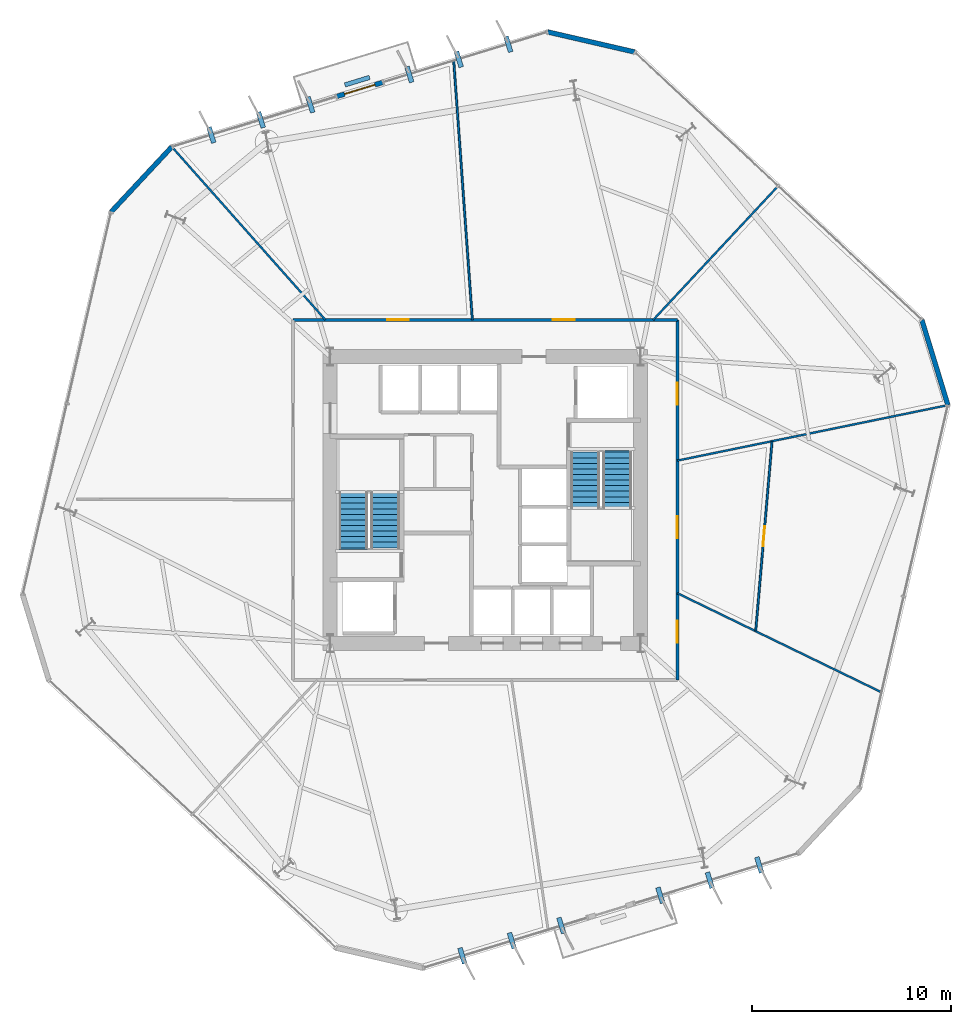
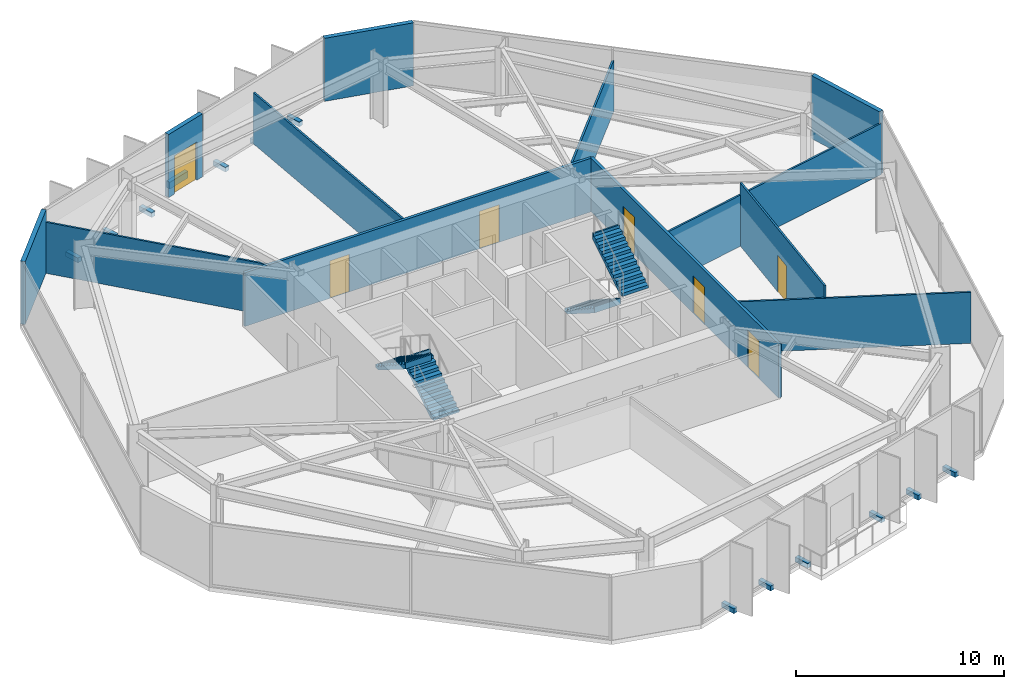
# One storey, part 7 of 9: 13 walls, 12 discrete accessories, 7 doors, 4 stair flights, 7 openings, 2 elements without a shape of their own.
"""IFC4 building model written with IfcOpenShell, lengths in metres."""

from ifc_helpers import new_model, si_unit, direction, frame, frame_2d, origin, origin_2d, place, context, subcontext, project, spatial, polyline, rectangle, outline, extrude, material, layer, layer_set, type_object, element, fill, aggregate, save


model = new_model("IFC4")

# Units and contexts
model_context = context("Model", 3, precision=1e-05, world=origin(), true_north=direction((0.0, 1.0)))
body_context = subcontext(model_context, "Body", "Model", "MODEL_VIEW")
ifc_project = project(units=[si_unit("LENGTHUNIT", "METRE"), si_unit("AREAUNIT", "SQUARE_METRE"), si_unit("VOLUMEUNIT", "CUBIC_METRE"), si_unit("PLANEANGLEUNIT", "RADIAN"), si_unit("MASSUNIT", "GRAM", prefix="KILO")], contexts=[model_context])

# Site, building, storey
site_placement = place(None, origin())
site = spatial("IfcSite", under=ifc_project, at=site_placement, CompositionType="ELEMENT")
building_placement = place(site_placement, origin())
building = spatial("IfcBuilding", under=site, at=building_placement, Name="Kranzbogen Civic Tower", CompositionType="ELEMENT")
storey_placement = place(building_placement, frame((0.0, 0.0, 88.0)))
storey = spatial("IfcBuildingStorey", under=building, at=storey_placement, Name="L21", CompositionType="ELEMENT", Elevation=88.0)

# Wall, openings, doors
ifc_material_1 = material(Name="Double-Stud Acoustic Gypsum Partition")
ifc_layer_1 = layer(ifc_material_1, 0.14990234375, Name="Double-Stud Acoustic Gypsum Partition")
ifc_layer_set_1 = layer_set([ifc_layer_1], Name="Double-Stud Acoustic Gypsum Partition")
wall_type_1 = type_object("IfcWallType", Name="Acoustic Corridor and Clinical Partition 150 mm", PredefinedType="PARTITIONING", material=ifc_layer_set_1)
wall_1_placement = place(storey_placement, frame((15.35009765625, 34.050048828125, 0.0), z_axis=(0.0, 0.0, 1.0), x_axis=(1.0, 0.0, 0.0)))
wall_1 = element("IfcWall", 1, at=wall_1_placement, inside=storey, type_object=wall_type_1, Name="L21 corridor partition 01", PredefinedType="PARTITIONING", context=body_context, shape_type="SweptSolid", body=[
    extrude(rectangle(XDim=19.2998046875, YDim=0.14990234375, at=frame_2d((9.64990234375, 0.0))), origin(), (0.0, 0.0, 1.0), 3.14990234375),
])
opening_1_placement = place(wall_1_placement, frame((13.035888671875, 0.0, 0.0)))
opening_1 = element("IfcOpeningElement", 2, at=opening_1_placement, cuts=wall_1, Name="Opening D-COR60", PredefinedType="OPENING", context=body_context, shape_type="SweptSolid", body=[
    extrude(rectangle(XDim=1.10009765625, YDim=2.199951171875, at=frame_2d((0.550048828125, 1.10009765625))), frame((0.0, 0.0849609375, 0.0), z_axis=(0.0, -1.0, 0.0), x_axis=(1.0, 0.0, 0.0)), (0.0, 0.0, 1.0), 0.169921875),
])
opening_2_placement = place(wall_1_placement, frame((4.716064453125, 0.0, 0.0)))
opening_2 = element("IfcOpeningElement", 3, at=opening_2_placement, cuts=wall_1, Name="Opening D-COR60", PredefinedType="OPENING", context=body_context, shape_type="SweptSolid", body=[
    extrude(rectangle(XDim=1.10009765625, YDim=2.199951171875, at=frame_2d((0.550048828125, 1.10009765625))), frame((0.0, 0.0849609375, 0.0), z_axis=(0.0, -1.0, 0.0), x_axis=(1.0, 0.0, 0.0)), (0.0, 0.0, 1.0), 0.169921875),
])
ifc_material_2 = material(Name="Oak Timber and Fire Core", Category="wood")
door_type_1 = type_object("IfcDoorType", Name="Corridor Acoustic Fire Door 1100x2200", OperationType="NOTDEFINED", PredefinedType="DOOR", material=ifc_material_2)
door_1_placement = place(opening_1_placement, origin())
door_1 = element("IfcDoor", 4, at=door_1_placement, inside=storey, type_object=door_type_1, Name="L21 Executive Briefing Conference Room door", OperationType="SINGLE_SWING_LEFT", OverallHeight=2.199951171875, OverallWidth=1.10009765625, PredefinedType="DOOR", context=body_context, shape_type="SweptSolid", body=[
    extrude(rectangle(XDim=1.10009765625, YDim=2.199951171875, at=frame_2d((0.550048828125, 1.10009765625))), frame((0.0, 0.02490234375, 0.0), z_axis=(0.0, -1.0, 0.0), x_axis=(1.0, 0.0, 0.0)), (0.0, 0.0, 1.0), 0.050048828125),
])
fill(opening_1, door_1)
door_2_placement = place(opening_2_placement, origin())
door_2 = element("IfcDoor", 5, at=door_2_placement, inside=storey, type_object=door_type_1, Name="L21 Civic Reference Library door", OperationType="SINGLE_SWING_RIGHT", OverallHeight=2.199951171875, OverallWidth=1.10009765625, PredefinedType="DOOR", context=body_context, shape_type="SweptSolid", body=[
    extrude(rectangle(XDim=1.10009765625, YDim=2.199951171875, at=frame_2d((0.550048828125, 1.10009765625))), frame((0.0, 0.02490234375, 0.0), z_axis=(0.0, -1.0, 0.0), x_axis=(1.0, 0.0, 0.0)), (0.0, 0.0, 1.0), 0.050048828125),
])
fill(opening_2, door_2)

wall_2_placement = place(storey_placement, frame((34.64990234375, 34.050048828125, 0.0), z_axis=(0.0, 0.0, 1.0), x_axis=(0.0, -1.0, 0.0)))
wall_2 = element("IfcWall", 6, at=wall_2_placement, inside=storey, type_object=wall_type_1, Name="L21 corridor partition 02", PredefinedType="PARTITIONING", context=body_context, shape_type="SweptSolid", body=[
    extrude(rectangle(XDim=18.10009765625, YDim=0.14990234375, at=frame_2d((9.050048828125, 0.0))), origin(), (0.0, 0.0, 1.0), 3.14990234375),
])
opening_3_placement = place(wall_2_placement, frame((15.115966796875, 0.0, 0.0)))
opening_3 = element("IfcOpeningElement", 7, at=opening_3_placement, cuts=wall_2, Name="Opening D-COR60", PredefinedType="OPENING", context=body_context, shape_type="SweptSolid", body=[
    extrude(rectangle(XDim=1.10009765625, YDim=2.199951171875, at=frame_2d((0.550048828125, 1.10009765625))), frame((0.0, 0.0849609375, 0.0), z_axis=(0.0, -1.0, 0.0), x_axis=(1.0, 0.0, 0.0)), (0.0, 0.0, 1.0), 0.169921875),
])
opening_4_placement = place(wall_2_placement, frame((9.862060546875, 0.0, 0.0)))
opening_4 = element("IfcOpeningElement", 8, at=opening_4_placement, cuts=wall_2, Name="Opening D-COR60", PredefinedType="OPENING", context=body_context, shape_type="SweptSolid", body=[
    extrude(rectangle(XDim=1.10009765625, YDim=2.199951171875, at=frame_2d((0.550048828125, 1.10009765625))), frame((0.0, 0.0849609375, 0.0), z_axis=(0.0, -1.0, 0.0), x_axis=(1.0, 0.0, 0.0)), (0.0, 0.0, 1.0), 0.169921875),
])
opening_5_placement = place(wall_2_placement, frame((3.162109375, 0.0, 0.0)))
opening_5 = element("IfcOpeningElement", 9, at=opening_5_placement, cuts=wall_2, Name="Opening D-COR60", PredefinedType="OPENING", context=body_context, shape_type="SweptSolid", body=[
    extrude(rectangle(XDim=1.10009765625, YDim=2.199951171875, at=frame_2d((0.550048828125, 1.10009765625))), frame((0.0, 0.0849609375, 0.0), z_axis=(0.0, -1.0, 0.0), x_axis=(1.0, 0.0, 0.0)), (0.0, 0.0, 1.0), 0.169921875),
])
door_3_placement = place(opening_3_placement, origin())
door_3 = element("IfcDoor", 10, at=door_3_placement, inside=storey, type_object=door_type_1, Name="L21 Legal Counsel Office door", OperationType="SINGLE_SWING_LEFT", OverallHeight=2.199951171875, OverallWidth=1.10009765625, PredefinedType="DOOR", context=body_context, shape_type="SweptSolid", body=[
    extrude(rectangle(XDim=1.10009765625, YDim=2.199951171875, at=frame_2d((0.550048828125, 1.10009765625))), frame((0.0, 0.02490234375, 0.0), z_axis=(0.0, -1.0, 0.0), x_axis=(1.0, 0.0, 0.0)), (0.0, 0.0, 1.0), 0.050048828125),
])
fill(opening_3, door_3)
door_4_placement = place(opening_4_placement, origin())
door_4 = element("IfcDoor", 11, at=door_4_placement, inside=storey, type_object=door_type_1, Name="L21 Operations Security Control Room door", OperationType="SINGLE_SWING_RIGHT", OverallHeight=2.199951171875, OverallWidth=1.10009765625, PredefinedType="DOOR", context=body_context, shape_type="SweptSolid", body=[
    extrude(rectangle(XDim=1.10009765625, YDim=2.199951171875, at=frame_2d((0.550048828125, 1.10009765625))), frame((0.0, 0.02490234375, 0.0), z_axis=(0.0, -1.0, 0.0), x_axis=(1.0, 0.0, 0.0)), (0.0, 0.0, 1.0), 0.050048828125),
])
fill(opening_4, door_4)
door_5_placement = place(opening_5_placement, origin())
door_5 = element("IfcDoor", 12, at=door_5_placement, inside=storey, type_object=door_type_1, Name="L21 Duty Crew Control Room door", OperationType="SINGLE_SWING_RIGHT", OverallHeight=2.199951171875, OverallWidth=1.10009765625, PredefinedType="DOOR", context=body_context, shape_type="SweptSolid", body=[
    extrude(rectangle(XDim=1.10009765625, YDim=2.199951171875, at=frame_2d((0.550048828125, 1.10009765625))), frame((0.0, 0.02490234375, 0.0), z_axis=(0.0, -1.0, 0.0), x_axis=(1.0, 0.0, 0.0)), (0.0, 0.0, 1.0), 0.050048828125),
])
fill(opening_5, door_5)

# Walls
ifc_material_3 = material(Name="Architectural Precast Terracotta Concrete C40/50", Category="masonry")
ifc_layer_2 = layer(ifc_material_3, 0.219970703125, Name="Architectural Precast Terracotta Concrete C40/50")
ifc_layer_set_2 = layer_set([ifc_layer_2], Name="Architectural Precast Terracotta Concrete C40/50")
wall_type_2 = type_object("IfcWallType", Name="Architectural Tree Planter Kerb Wall 220 mm", PredefinedType="USERDEFINED", material=ifc_layer_set_2)
wall_3_placement = place(storey_placement, frame((19.18798828125, 46.23291015625, 0.0), z_axis=(0.0, 0.0, 1.0), x_axis=(-0.956393819486, -0.292080232212, 0.0)))
element("IfcWall", 13, at=wall_3_placement, inside=storey, type_object=wall_type_2, Name="L21 landscaped tree balcony planter L21-TB2", ObjectType="PLANTER_WALL", PredefinedType="USERDEFINED", context=body_context, shape_type="SweptSolid", body=[
    extrude(rectangle(XDim=1.300537109375, YDim=0.219970703125, at=frame_2d((0.650390625, 0.0))), origin(), (0.0, 0.0, 1.0), 0.39990234375),
])
ifc_material_4 = material(Name="Demountable Aluminium and Gypsum Partition", Category="aluminium")
ifc_layer_3 = layer(ifc_material_4, 0.10009765625, Name="Demountable Aluminium and Gypsum Partition")
ifc_layer_set_3 = layer_set([ifc_layer_3], Name="Demountable Aluminium and Gypsum Partition")
wall_type_3 = type_object("IfcWallType", Name="Demountable Office Partition 100 mm", PredefinedType="MOVABLE", material=ifc_layer_set_3)
wall_4_placement = place(storey_placement, frame((33.43896484375, 34.050048828125, 0.0), z_axis=(0.0, 0.0, 1.0), x_axis=(0.682067130349, 0.731289566244, 0.0)))
element("IfcWall", 14, at=wall_4_placement, inside=storey, type_object=wall_type_3, Name="L21 radial room partition 01", PredefinedType="MOVABLE", context=body_context, shape_type="SweptSolid", body=[
    extrude(rectangle(XDim=9.180908203125, YDim=0.10009765625, at=frame_2d((4.59033203125, 0.0))), origin(), (0.0, 0.0, 1.0), 3.0),
])
wall_5_placement = place(storey_placement, frame((24.34912109375, 34.050048828125, 0.0), z_axis=(0.0, 0.0, 1.0), x_axis=(-0.071715443753, 0.997425132593, 0.0)))
element("IfcWall", 15, at=wall_5_placement, inside=storey, type_object=wall_type_3, Name="L21 radial room partition 02", PredefinedType="MOVABLE", context=body_context, shape_type="SweptSolid", body=[
    extrude(rectangle(XDim=13.03857421875, YDim=0.10009765625, at=frame_2d((6.519287109375, 0.0))), origin(), (0.0, 0.0, 1.0), 3.0),
])
wall_6_placement = place(storey_placement, frame((16.968017578125, 34.050048828125, 0.0), z_axis=(0.0, 0.0, 1.0), x_axis=(-0.663809978561, 0.747901271801, 0.0)))
element("IfcWall", 16, at=wall_6_placement, inside=storey, type_object=wall_type_3, Name="L21 radial room partition 03", PredefinedType="MOVABLE", context=body_context, shape_type="SweptSolid", body=[
    extrude(rectangle(XDim=11.6044921875, YDim=0.10009765625, at=frame_2d((5.80224609375, 0.0))), origin(), (0.0, 0.0, 1.0), 3.0),
])
wall_7_placement = place(storey_placement, frame((34.64990234375, 20.31689453125, 0.0), z_axis=(0.0, 0.0, 1.0), x_axis=(0.89965666283, -0.436598086374, 0.0)))
element("IfcWall", 17, at=wall_7_placement, inside=storey, type_object=wall_type_3, Name="L21 radial room partition 07", PredefinedType="MOVABLE", context=body_context, shape_type="SweptSolid", body=[
    extrude(rectangle(XDim=11.3857421875, YDim=0.10009765625, at=frame_2d((5.69287109375, 0.0))), origin(), (0.0, 0.0, 1.0), 3.0),
])
wall_8_placement = place(storey_placement, frame((34.64990234375, 26.97900390625, 0.0), z_axis=(0.0, 0.0, 1.0), x_axis=(0.979617551481, 0.200871732283, 0.0)))
element("IfcWall", 18, at=wall_8_placement, inside=storey, type_object=wall_type_3, Name="L21 radial room partition 08", PredefinedType="MOVABLE", context=body_context, shape_type="SweptSolid", body=[
    extrude(rectangle(XDim=13.8544921875, YDim=0.10009765625, at=frame_2d((6.92724609375, 0.0))), origin(), (0.0, 0.0, 1.0), 3.0),
])

# Wall, opening, door
wall_9_placement = place(storey_placement, frame((38.5859375, 18.424072265625, 0.0), z_axis=(0.0, 0.0, 1.0), x_axis=(0.085869529315, 0.996306390592, 0.0)))
wall_9 = element("IfcWall", 19, at=wall_9_placement, inside=storey, type_object=wall_type_3, Name="L21 suite chord partition 01", PredefinedType="MOVABLE", context=body_context, shape_type="SweptSolid", body=[
    extrude(rectangle(XDim=9.550048828125, YDim=0.10009765625, at=frame_2d((4.77490234375, 0.0))), origin(), (0.0, 0.0, 1.0), 3.699951171875),
])
opening_6_placement = place(wall_9_placement, frame((4.27490234375, 0.0, 0.0)))
opening_6 = element("IfcOpeningElement", 20, at=opening_6_placement, cuts=wall_9, Name="Opening D-OFC10", PredefinedType="OPENING", context=body_context, shape_type="SweptSolid", body=[
    extrude(rectangle(XDim=1.0, YDim=2.14990234375, at=frame_2d((0.5, 1.074951171875))), frame((0.0, 0.06005859375, 0.0), z_axis=(0.0, -1.0, 0.0), x_axis=(1.0, 0.0, 0.0)), (0.0, 0.0, 1.0), 0.1201171875),
])
ifc_material_5 = material(Name="Oak Timber Veneer", Category="wood")
door_type_2 = type_object("IfcDoorType", Name="Standard Office Acoustic Door 1000x2150", OperationType="NOTDEFINED", PredefinedType="DOOR", material=ifc_material_5)
door_6_placement = place(opening_6_placement, origin())
door_6 = element("IfcDoor", 21, at=door_6_placement, inside=storey, type_object=door_type_2, Name="L21 Central Mail Post Room door", OperationType="SINGLE_SWING_LEFT", OverallHeight=2.14990234375, OverallWidth=1.0, PredefinedType="DOOR", context=body_context, shape_type="SweptSolid", body=[
    extrude(rectangle(XDim=1.0, YDim=2.14990234375, at=frame_2d((0.5, 1.074951171875))), frame((0.0, 0.02490234375, 0.0), z_axis=(0.0, -1.0, 0.0), x_axis=(1.0, 0.0, 0.0)), (0.0, 0.0, 1.0), 0.050048828125),
])
fill(opening_6, door_6)

# Wall
ifc_material_6 = material(Name="Pale Anodised Aluminium", Category="aluminium")
ifc_layer_4 = layer(ifc_material_6, 0.239990234375, Name="Pale Anodised Aluminium")
ifc_layer_set_4 = layer_set([ifc_layer_4], Name="Pale Anodised Aluminium")
wall_type_4 = type_object("IfcWallType", Name="Insulated Aluminium Facade Portal Wall 240 mm", PredefinedType="STANDARD", material=ifc_layer_set_4)
wall_10_placement = place(storey_placement, frame((32.492919921875, 47.510009765625, 0.0), z_axis=(0.0, 0.0, 1.0), x_axis=(-0.974381076881, 0.224903350388, 0.0)))
element("IfcWall", 22, at=wall_10_placement, inside=storey, type_object=wall_type_4, Name="L21 chamfered corner facade spandrel 1", PredefinedType="STANDARD", context=body_context, shape_type="SweptSolid", body=[
    extrude(rectangle(XDim=4.473388671875, YDim=0.239990234375, at=frame_2d((2.23681640625, 0.0))), origin(), (0.0, 0.0, 1.0), 3.699951171875),
])

# Wall, opening, door
wall_11_placement = place(storey_placement, frame((19.840087890625, 45.97998046875, 0.0), z_axis=(0.0, 0.0, 1.0), x_axis=(-0.956281264577, -0.292448530546, 0.0)))
wall_11 = element("IfcWall", 23, at=wall_11_placement, inside=storey, type_object=wall_type_4, Name="L21 exterior entrance portal wall 1", PredefinedType="STANDARD", context=body_context, shape_type="SweptSolid", body=[
    extrude(rectangle(XDim=2.400146484375, YDim=0.239990234375, at=frame_2d((1.2001953125, 0.0))), origin(), (0.0, 0.0, 1.0), 3.699951171875),
])
opening_7_placement = place(wall_11_placement, frame((0.39990234375, 0.0, 0.0)))
opening_7 = element("IfcOpeningElement", 24, at=opening_7_placement, cuts=wall_11, Name="Opening D-TER", PredefinedType="OPENING", context=body_context, shape_type="SweptSolid", body=[
    extrude(rectangle(XDim=1.60009765625, YDim=2.25, at=frame_2d((0.800048828125, 1.125))), frame((0.0, 0.1298828125, 0.0), z_axis=(0.0, -1.0, 0.0), x_axis=(1.0, 0.0, 0.0)), (0.0, 0.0, 1.0), 0.260009765625),
])
ifc_material_7 = material(Name="Anodised Bronze and Triple Glass", Category="glass")
door_type_3 = type_object("IfcDoorType", Name="Glazed Terrace and Balcony Double Door 1600x2250", OperationType="DOUBLE_DOOR_SINGLE_SWING", PredefinedType="DOOR", material=ifc_material_7)
door_7_placement = place(opening_7_placement, frame((1.60009765625, 0.0, 0.0), z_axis=(0.0, 0.0, 1.0), x_axis=(-1.0, 0.0, 0.0)))
door_7 = element("IfcDoor", 25, at=door_7_placement, inside=storey, type_object=door_type_3, Name="L21 tree balcony access door L21-TB2", OperationType="DOUBLE_DOOR_SINGLE_SWING", OverallHeight=2.25, OverallWidth=1.60009765625, PredefinedType="DOOR", context=body_context, shape_type="SweptSolid", body=[
    extrude(rectangle(XDim=1.60009765625, YDim=2.25, at=frame_2d((0.800048828125, 1.125))), frame((0.0, 0.02490234375, 0.0), z_axis=(0.0, -1.0, 0.0), x_axis=(1.0, 0.0, 0.0)), (0.0, 0.0, 1.0), 0.050048828125),
])
fill(opening_7, door_7)

# Walls
wall_12_placement = place(storey_placement, frame((9.251953125, 42.742919921875, 0.0), z_axis=(0.0, 0.0, 1.0), x_axis=(-0.682090691133, -0.731267590606, 0.0)))
element("IfcWall", 26, at=wall_12_placement, inside=storey, type_object=wall_type_4, Name="L21 chamfered corner facade spandrel 2", PredefinedType="STANDARD", context=body_context, shape_type="SweptSolid", body=[
    extrude(rectangle(XDim=4.47314453125, YDim=0.239990234375, at=frame_2d((2.236572265625, 0.0))), origin(), (0.0, 0.0, 1.0), 3.699951171875),
])
wall_13_placement = place(storey_placement, frame((48.240966796875, 29.76611328125, 0.0), z_axis=(0.0, 0.0, 1.0), x_axis=(-0.292310029535, 0.956323609786, 0.0)))
element("IfcWall", 27, at=wall_13_placement, inside=storey, type_object=wall_type_4, Name="L21 chamfered corner facade spandrel 6", PredefinedType="STANDARD", context=body_context, shape_type="SweptSolid", body=[
    extrude(rectangle(XDim=4.47412109375, YDim=0.239990234375, at=frame_2d((2.237060546875, 0.0))), origin(), (0.0, 0.0, 1.0), 3.699951171875),
])

# Stair, stair flights
ifc_material_8 = material(Name="Precast concrete C40/50", Category="concrete")
stair_type_1 = type_object("IfcStairType", Name="Tower Core Pressurized Dogleg Stair 1450", PredefinedType="HALF_TURN_STAIR", material=ifc_material_8)
stair_1_placement = place(storey_placement, origin())
stair_1 = element("IfcStair", 28, at=stair_1_placement, inside=storey, type_object=stair_type_1, Name="L21 Tower Core Pressurized Stair 1", PredefinedType="HALF_TURN_STAIR")
stair_flight_type = type_object("IfcStairFlightType", Name="Precast Concrete Stair Flight R180", PredefinedType="STRAIGHT", material=ifc_material_8)
stair_flight_1_placement = place(storey_placement, frame((19.97509765625, 22.60009765625, 0.0), z_axis=(0.0, 0.0, 1.0), x_axis=(0.0, 1.0, 0.0)))
stair_flight_1 = element("IfcStairFlight", 29, at=stair_flight_1_placement, type_object=stair_flight_type, Name="ST-T1 flight 1", NumberOfRisers=11, NumberOfTreads=10, PredefinedType="STRAIGHT", RiserHeight=0.181818182, TreadLength=0.28, context=body_context, shape_type="SweptSolid", body=[
    extrude(outline(polyline([(0.0, 0.0), (0.0, 0.181884765625), (0.280029296875, 0.181884765625), (0.280029296875, 0.363525390625), (0.56005859375, 0.363525390625), (0.56005859375, 0.54541015625), (0.840087890625, 0.54541015625), (0.840087890625, 0.727294921875), (1.1201171875, 0.727294921875), (1.1201171875, 0.9091796875), (1.39990234375, 0.9091796875), (1.39990234375, 1.0908203125), (1.679931640625, 1.0908203125), (1.679931640625, 1.272705078125), (1.9599609375, 1.272705078125), (1.9599609375, 1.45458984375), (2.239990234375, 1.45458984375), (2.239990234375, 1.636474609375), (2.52001953125, 1.636474609375), (2.52001953125, 1.818115234375), (2.800048828125, 1.818115234375), (2.800048828125, 2.0), (2.880126953125, 2.0), (2.880126953125, 1.639404296875), (0.275146484375, 0.0), (0.0, 0.0)])), frame((0.0, 0.72509765625, 0.0), z_axis=(0.0, -1.0, 0.0), x_axis=(1.0, 0.0, 0.0)), (0.0, 0.0, 1.0), 1.449951171875),
])
stair_flight_2_placement = place(storey_placement, frame((18.375, 25.39990234375, 2.0), z_axis=(0.0, 0.0, 1.0), x_axis=(0.0, -1.0, 0.0)))
stair_flight_2 = element("IfcStairFlight", 30, at=stair_flight_2_placement, type_object=stair_flight_type, Name="ST-T1 flight 2", NumberOfRisers=11, NumberOfTreads=10, PredefinedType="STRAIGHT", RiserHeight=0.181818182, TreadLength=0.28, context=body_context, shape_type="SweptSolid", body=[
    extrude(outline(polyline([(0.0, 0.0), (0.0, 0.181884765625), (0.280029296875, 0.181884765625), (0.280029296875, 0.363525390625), (0.56005859375, 0.363525390625), (0.56005859375, 0.54541015625), (0.840087890625, 0.54541015625), (0.840087890625, 0.727294921875), (1.1201171875, 0.727294921875), (1.1201171875, 0.9091796875), (1.39990234375, 0.9091796875), (1.39990234375, 1.0908203125), (1.679931640625, 1.0908203125), (1.679931640625, 1.272705078125), (1.9599609375, 1.272705078125), (1.9599609375, 1.45458984375), (2.239990234375, 1.45458984375), (2.239990234375, 1.636474609375), (2.52001953125, 1.636474609375), (2.52001953125, 1.818115234375), (2.800048828125, 1.818115234375), (2.800048828125, 2.0), (2.880126953125, 2.0), (2.880126953125, 1.639404296875), (0.275146484375, 0.0), (0.0, 0.0)])), frame((0.0, 0.72509765625, 0.0), z_axis=(0.0, -1.0, 0.0), x_axis=(1.0, 0.0, 0.0)), (0.0, 0.0, 1.0), 1.449951171875),
])
aggregate(stair_1, [stair_flight_1, stair_flight_2])

stair_type_2 = type_object("IfcStairType", Name="Tower Core Secondary Dogleg Stair 1450", PredefinedType="HALF_TURN_STAIR", material=ifc_material_8)
stair_2_placement = place(storey_placement, origin())
stair_2 = element("IfcStair", 31, at=stair_2_placement, inside=storey, type_object=stair_type_2, Name="L21 Tower Core Pressurized Stair 2", PredefinedType="HALF_TURN_STAIR")
stair_flight_3_placement = place(storey_placement, frame((30.02490234375, 27.39990234375, 0.0), z_axis=(0.0, 0.0, 1.0), x_axis=(0.0, -1.0, 0.0)))
stair_flight_3 = element("IfcStairFlight", 32, at=stair_flight_3_placement, type_object=stair_flight_type, Name="ST-T2 flight 1", NumberOfRisers=11, NumberOfTreads=10, PredefinedType="STRAIGHT", RiserHeight=0.181818182, TreadLength=0.28, context=body_context, shape_type="SweptSolid", body=[
    extrude(outline(polyline([(0.0, 0.0), (0.0, 0.181884765625), (0.280029296875, 0.181884765625), (0.280029296875, 0.363525390625), (0.56005859375, 0.363525390625), (0.56005859375, 0.54541015625), (0.840087890625, 0.54541015625), (0.840087890625, 0.727294921875), (1.1201171875, 0.727294921875), (1.1201171875, 0.9091796875), (1.39990234375, 0.9091796875), (1.39990234375, 1.0908203125), (1.679931640625, 1.0908203125), (1.679931640625, 1.272705078125), (1.9599609375, 1.272705078125), (1.9599609375, 1.45458984375), (2.239990234375, 1.45458984375), (2.239990234375, 1.636474609375), (2.52001953125, 1.636474609375), (2.52001953125, 1.818115234375), (2.800048828125, 1.818115234375), (2.800048828125, 2.0), (2.880126953125, 2.0), (2.880126953125, 1.639404296875), (0.275146484375, 0.0), (0.0, 0.0)])), frame((0.0, 0.72509765625, 0.0), z_axis=(0.0, -1.0, 0.0), x_axis=(1.0, 0.0, 0.0)), (0.0, 0.0, 1.0), 1.449951171875),
])
stair_flight_4_placement = place(storey_placement, frame((31.625, 24.60009765625, 2.0), z_axis=(0.0, 0.0, 1.0), x_axis=(0.0, 1.0, 0.0)))
stair_flight_4 = element("IfcStairFlight", 33, at=stair_flight_4_placement, type_object=stair_flight_type, Name="ST-T2 flight 2", NumberOfRisers=11, NumberOfTreads=10, PredefinedType="STRAIGHT", RiserHeight=0.181818182, TreadLength=0.28, context=body_context, shape_type="SweptSolid", body=[
    extrude(outline(polyline([(0.0, 0.0), (0.0, 0.181884765625), (0.280029296875, 0.181884765625), (0.280029296875, 0.363525390625), (0.56005859375, 0.363525390625), (0.56005859375, 0.54541015625), (0.840087890625, 0.54541015625), (0.840087890625, 0.727294921875), (1.1201171875, 0.727294921875), (1.1201171875, 0.9091796875), (1.39990234375, 0.9091796875), (1.39990234375, 1.0908203125), (1.679931640625, 1.0908203125), (1.679931640625, 1.272705078125), (1.9599609375, 1.272705078125), (1.9599609375, 1.45458984375), (2.239990234375, 1.45458984375), (2.239990234375, 1.636474609375), (2.52001953125, 1.636474609375), (2.52001953125, 1.818115234375), (2.800048828125, 1.818115234375), (2.800048828125, 2.0), (2.880126953125, 2.0), (2.880126953125, 1.639404296875), (0.275146484375, 0.0), (0.0, 0.0)])), frame((0.0, 0.72509765625, 0.0), z_axis=(0.0, -1.0, 0.0), x_axis=(1.0, 0.0, 0.0)), (0.0, 0.0, 1.0), 1.449951171875),
])
aggregate(stair_2, [stair_flight_3, stair_flight_4])

# Discrete accessories
ifc_material_9 = material(Name="Steel S355", Category="steel")
discrete_accessory_type = type_object("IfcDiscreteAccessoryType", Name="Structural Curtain-Wall Fin Support Bracket", PredefinedType="BRACKET", material=ifc_material_9)
for number, where, z_axis, x_axis, name in (
    (34, (26.156005859375, 47.89794921875, -0.25), (0.0, 0.0, 1.0), (-0.292371704723, 0.956304755963, 0.0), "L21 facade fin support bracket F2-1"),
    (35, (23.6689453125, 47.137939453125, -0.25), (0.0, 0.0, 1.0), (-0.292371704723, 0.956304755963, 0.0), "L21 facade fin support bracket F2-2"),
    (36, (21.18310546875, 46.3779296875, -0.25), (0.0, 0.0, 1.0), (-0.292371704723, 0.956304755963, 0.0), "L21 facade fin support bracket F2-3"),
    (37, (16.2099609375, 44.85693359375, -0.25), (0.0, 0.0, 1.0), (-0.292371704723, 0.956304755963, 0.0), "L21 facade fin support bracket F2-5"),
    (38, (13.72412109375, 44.096923828125, -0.25), (0.0, 0.0, 1.0), (-0.292371704723, 0.956304755963, 0.0), "L21 facade fin support bracket F2-6"),
    (39, (11.237060546875, 43.3369140625, -0.25), (0.0, 0.0, 1.0), (-0.292371704723, 0.956304755963, 0.0), "L21 facade fin support bracket F2-7"),
    (40, (23.843994140625, 2.10205078125, -0.25), (0.0, 0.0, 1.0), (0.292371704723, -0.956304755963, 0.0), "L21 facade fin support bracket F5-1"),
    (41, (26.3310546875, 2.862060546875, -0.25), (0.0, 0.0, 1.0), (0.292371704723, -0.956304755963, 0.0), "L21 facade fin support bracket F5-2"),
    (42, (28.81689453125, 3.6220703125, -0.25), (0.0, 0.0, 1.0), (0.292371704723, -0.956304755963, 0.0), "L21 facade fin support bracket F5-3"),
    (43, (33.7900390625, 5.14306640625, -0.25), (0.0, 0.0, 1.0), (0.292371704723, -0.956304755963, 0.0), "L21 facade fin support bracket F5-5"),
    (44, (36.27587890625, 5.903076171875, -0.25), (0.0, 0.0, 1.0), (0.292371704723, -0.956304755963, 0.0), "L21 facade fin support bracket F5-6"),
    (45, (38.762939453125, 6.6630859375, -0.25), (0.0, 0.0, 1.0), (0.292371704723, -0.956304755963, 0.0), "L21 facade fin support bracket F5-7"),
):
    element("IfcDiscreteAccessory", number, at=place(storey_placement, frame(where, z_axis=z_axis, x_axis=x_axis)), inside=storey, type_object=discrete_accessory_type, Name=name, PredefinedType="BRACKET", context=body_context, shape_type="SweptSolid", body=[
        extrude(rectangle(XDim=0.820068359375, YDim=0.239990234375, at=origin_2d()), origin(), (0.0, 0.0, 1.0), 0.280029296875),
    ])

save(model, "model.ifc")
